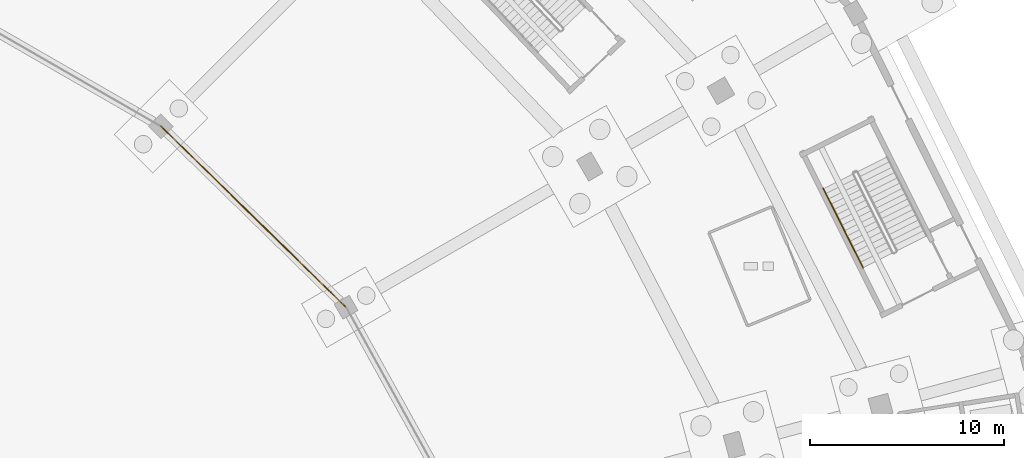
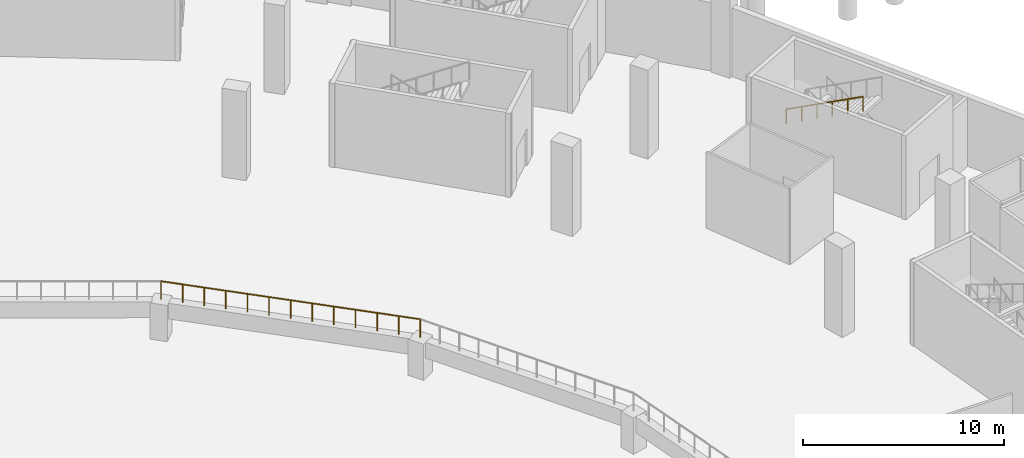
# One storey, part 79 of 103: 2 railings.
"""IFC4 building model written with IfcOpenShell, lengths in metres."""

import ifcopenshell
import ifcopenshell.guid

model = None  # the IFC model being written
_history = None  # IfcOwnerHistory: only IFC2X3 demands one
_inside = {}  # id of a spatial element -> (the spatial element, [elements in it])
_under = {}  # id of a project, library or spatial element -> (it, [spatial elements below it])
_declared = {}  # id of a project -> (the project, [libraries it declares])
_typed = {}  # id of a type object -> (the type object, [elements of that type])
_made_of = {}  # id of a material, layer set ... -> (it, [elements and type objects made of it])


def new_model(schema):
    """Start an empty IFC model of exactly this schema.

    Asked for "IFC4X3", IfcOpenShell would pick the latest addendum, in which some entities
    have other attributes; the version numbers below select the first issue.
    IFC2X3 requires an IfcOwnerHistory on every rooted entity: one is made here for all.
    """
    global model, _history
    if schema == "IFC4X3":
        model = ifcopenshell.file(schema_version=(4, 3, 0, 0))
    else:
        model = ifcopenshell.file(schema=schema)
    _inside.clear()
    _under.clear()
    _declared.clear()
    _typed.clear()
    _made_of.clear()
    _history = None
    if model.schema == "IFC2X3":
        org = make("IfcOrganization", Name="unknown")
        user = make(
            "IfcPersonAndOrganization",
            ThePerson=make("IfcPerson", FamilyName="unknown"),
            TheOrganization=org,
        )
        app = make(
            "IfcApplication",
            ApplicationDeveloper=org,
            Version="unknown",
            ApplicationFullName="unknown",
            ApplicationIdentifier="unknown",
        )
        _history = make(
            "IfcOwnerHistory",
            OwningUser=user,
            OwningApplication=app,
            ChangeAction="ADDED",
            CreationDate=0,
        )
    return model


def make(cls, **values):
    """One entity of the class cls with the attributes given. An attribute that is None is left unset."""
    return model.create_entity(
        cls, **{name: value for name, value in values.items() if value is not None}
    )


def rooted(cls, **values):
    """An entity with a GlobalId (a new one), such as an element, a storey or a relation."""
    return make(cls, GlobalId=ifcopenshell.guid.new(), OwnerHistory=_history, **values)


def si_unit(unit_type, name, prefix=None):
    """IfcSIUnit, for example si_unit("LENGTHUNIT", "METRE", prefix="MILLI")."""
    return make("IfcSIUnit", UnitType=unit_type, Prefix=prefix, Name=name)


def assignment(units):
    """IfcUnitAssignment: the units of a project."""
    return None if units is None else make("IfcUnitAssignment", Units=units)


def point(xyz):
    """IfcCartesianPoint."""
    return None if xyz is None else make("IfcCartesianPoint", Coordinates=xyz)


def direction(xyz):
    """IfcDirection."""
    return None if xyz is None else make("IfcDirection", DirectionRatios=xyz)


def frame(location, z_axis=None, x_axis=None):
    """IfcAxis2Placement3D, a coordinate frame: its origin and axes. An axis left out is left unset."""
    return make(
        "IfcAxis2Placement3D",
        Location=point(location),
        Axis=direction(z_axis),
        RefDirection=direction(x_axis),
    )


def frame_2d(location, x_axis=None):
    """IfcAxis2Placement2D, a coordinate frame in the plane: its origin and x axis."""
    return make(
        "IfcAxis2Placement2D", Location=point(location), RefDirection=direction(x_axis)
    )


def origin():
    """The frame at (0, 0, 0) with its axes left unset."""
    return frame((0.0, 0.0, 0.0))


def origin_2d():
    """The frame at (0, 0) in the plane with its x axis left unset."""
    return frame_2d((0.0, 0.0))


def place(relative_to, where):
    """IfcLocalPlacement: puts the frame where relative to a parent placement (None: the world)."""
    return make(
        "IfcLocalPlacement", PlacementRelTo=relative_to, RelativePlacement=where
    )


def context(
    kind, dimensions, precision=None, world=None, true_north=None, identifier=None
):
    """IfcGeometricRepresentationContext, for example the 3D "Model" context."""
    return make(
        "IfcGeometricRepresentationContext",
        ContextIdentifier=identifier,
        ContextType=kind,
        CoordinateSpaceDimension=dimensions,
        Precision=precision,
        WorldCoordinateSystem=world,
        TrueNorth=true_north,
    )


def subcontext(parent, identifier, kind, view, scale=None):
    """IfcGeometricRepresentationSubContext, for example "Body" below "Model"."""
    return make(
        "IfcGeometricRepresentationSubContext",
        ContextIdentifier=identifier,
        ContextType=kind,
        ParentContext=parent,
        TargetScale=scale,
        TargetView=view,
    )


def project(units=None, contexts=None):
    """IfcProject with its units and contexts."""
    return rooted(
        "IfcProject",
        Name="project",
        RepresentationContexts=contexts,
        UnitsInContext=assignment(units),
    )


def spatial(cls, under=None, at=None, **own):
    """A site, building, storey or space (cls), placed at a placement, below another one or the project."""
    s = rooted(cls, ObjectPlacement=at, **own)
    if under is not None:
        _under.setdefault(under.id(), (under, []))[1].append(s)
    return s


def profile(cls, at=None, kind="AREA", **sizes):
    """A parametric profile (cls). Its sizes go by their IFC names, for example OverallWidth=200.0."""
    return make(cls, ProfileType=kind, Position=at, **sizes)


def circle(**sizes):
    """IfcCircleProfileDef."""
    return profile("IfcCircleProfileDef", **sizes)


def extrude(swept, where, along, depth):
    """IfcExtrudedAreaSolid: the profile swept, set in the frame where, extruded along a direction by depth."""
    return make(
        "IfcExtrudedAreaSolid",
        SweptArea=swept,
        Position=where,
        ExtrudedDirection=direction(along),
        Depth=depth,
    )


def shape(context_of_items, identifier, shape_type, items):
    """IfcShapeRepresentation: the items that make up one representation, for example the "Body"."""
    return make(
        "IfcShapeRepresentation",
        ContextOfItems=context_of_items,
        RepresentationIdentifier=identifier,
        RepresentationType=shape_type,
        Items=items,
    )


def material(Name=None, Category=None):
    """IfcMaterial."""
    return make("IfcMaterial", Name=Name, Category=Category)


def made_of(thing, what):
    """Note that an element or type object is made of a material, layer set ...; save() writes the relation."""
    if what is not None:
        _made_of.setdefault(what.id(), (what, []))[1].append(thing)
    return thing


def type_object(cls, material=None, **own):
    """A type object (cls), such as IfcWallType, which elements share."""
    return made_of(rooted(cls, **own), material)


def element(
    cls,
    number,
    at=None,
    inside=None,
    cuts=None,
    type_object=None,
    material=None,
    context=None,
    identifier="Body",
    shape_type=None,
    held_by="IfcProductDefinitionShape",
    body=None,
    shapes=None,
    **own,
):
    """One element of the class cls, such as IfcWall. Its Tag is "e" and its number.

    at: its placement. inside: the storey or other place that contains it. cuts: it is an
    opening in that element (IfcRelVoidsElement). A single representation is given by context,
    identifier, shape_type and body (its items); several are given by shapes. held_by: the class
    of the entity that holds the representations. save() writes the other relations.
    """
    e = rooted(cls, Tag="e%d" % number, ObjectPlacement=at, **own)
    if body is not None:
        shapes = [shape(context, identifier, shape_type, body)]
    if shapes is not None:
        e.Representation = make(held_by, Representations=shapes)
    if inside is not None:
        _inside.setdefault(inside.id(), (inside, []))[1].append(e)
    if cuts is not None:
        rooted(
            "IfcRelVoidsElement", RelatingBuildingElement=cuts, RelatedOpeningElement=e
        )
    if type_object is not None:
        _typed.setdefault(type_object.id(), (type_object, []))[1].append(e)
    return made_of(e, material)


def aggregate(whole, parts):
    """IfcRelAggregates: a whole, such as a stair, and the parts it consists of."""
    return rooted("IfcRelAggregates", RelatingObject=whole, RelatedObjects=parts)


def save(model, path):
    """Write the relations noted so far, then the file.

    IfcRelAggregates (storeys below a building ...), IfcRelContainedInSpatialStructure (elements
    in a storey), IfcRelDefinesByType, IfcRelAssociatesMaterial and IfcRelDeclares: one each for
    every whole, place, type object, material and project.
    """
    for whole, parts in _under.values():
        aggregate(whole, parts)
    for where, things in _inside.values():
        rooted(
            "IfcRelContainedInSpatialStructure",
            RelatedElements=things,
            RelatingStructure=where,
        )
    for kind, things in _typed.values():
        rooted("IfcRelDefinesByType", RelatedObjects=things, RelatingType=kind)
    for what, things in _made_of.values():
        rooted("IfcRelAssociatesMaterial", RelatedObjects=things, RelatingMaterial=what)
    for by, libraries in _declared.values():
        rooted("IfcRelDeclares", RelatingContext=by, RelatedDefinitions=libraries)
    model.write(path)


model = new_model("IFC4")

# Units and contexts
model_context = context("Model", 3, precision=1e-05, world=origin(), true_north=direction((0.0, 1.0)))
body_context = subcontext(model_context, "Body", "Model", "MODEL_VIEW")
ifc_project = project(units=[si_unit("LENGTHUNIT", "METRE"), si_unit("AREAUNIT", "SQUARE_METRE"), si_unit("VOLUMEUNIT", "CUBIC_METRE"), si_unit("PLANEANGLEUNIT", "RADIAN"), si_unit("MASSUNIT", "GRAM", prefix="KILO")], contexts=[model_context])

# Site, building, storey
site_placement = place(None, origin())
site = spatial("IfcSite", under=ifc_project, at=site_placement, CompositionType="ELEMENT")
building_placement = place(site_placement, origin())
building = spatial("IfcBuilding", under=site, at=building_placement, Name="Zevraka Park Crest Stadium", CompositionType="ELEMENT")
storey_placement = place(building_placement, origin())
storey = spatial("IfcBuildingStorey", under=building, at=storey_placement, Name="L00", CompositionType="ELEMENT", Elevation=0.0)

# Railings
ifc_material_1 = material(Name="Laminated glass and stainless steel sightline bowl guard", Category="steel")
railing_type_1 = type_object("IfcRailingType", Name="GR02", PredefinedType="GUARDRAIL", material=ifc_material_1)
railing_1_placement = place(storey_placement, frame((163.9619140625, 114.5, 2.199951171875)))
element("IfcRailing", 1, at=railing_1_placement, inside=storey, type_object=railing_type_1, Name="Lower Tier Pitch Sightline Guard GR02 02", PredefinedType="GUARDRAIL", context=body_context, shape_type="SweptSolid", body=[
    extrude(circle(Radius=0.02392578125, at=origin_2d()), frame((0.0, 0.0, 1.09619140625), z_axis=(-0.715153296212, 0.698967640823, 0.0), x_axis=(-0.698967640823, -0.715153296212, 0.0)), (0.0, 0.0, 1.0), 13.333984375),
    extrude(circle(Radius=0.02099609375, at=origin_2d()), origin(), (0.0, 0.0, 1.0), 1.072021484375),
    extrude(circle(Radius=0.02099609375, at=origin_2d()), frame((-0.794677734375, 0.776611328125, 0.0)), (0.0, 0.0, 1.0), 1.072021484375),
    extrude(circle(Radius=0.02099609375, at=origin_2d()), frame((-1.58935546875, 1.55322265625, 0.0)), (0.0, 0.0, 1.0), 1.072021484375),
    extrude(circle(Radius=0.02099609375, at=origin_2d()), frame((-2.384033203125, 2.330078125, 0.0)), (0.0, 0.0, 1.0), 1.072021484375),
    extrude(circle(Radius=0.02099609375, at=origin_2d()), frame((-3.1787109375, 3.106689453125, 0.0)), (0.0, 0.0, 1.0), 1.072021484375),
    extrude(circle(Radius=0.02099609375, at=origin_2d()), frame((-3.973388671875, 3.88330078125, 0.0)), (0.0, 0.0, 1.0), 1.072021484375),
    extrude(circle(Radius=0.02099609375, at=origin_2d()), frame((-4.76806640625, 4.66015625, 0.0)), (0.0, 0.0, 1.0), 1.072021484375),
    extrude(circle(Radius=0.02099609375, at=origin_2d()), frame((-5.5625, 5.436767578125, 0.0)), (0.0, 0.0, 1.0), 1.072021484375),
    extrude(circle(Radius=0.02099609375, at=origin_2d()), frame((-6.357177734375, 6.21337890625, 0.0)), (0.0, 0.0, 1.0), 1.072021484375),
    extrude(circle(Radius=0.02099609375, at=origin_2d()), frame((-7.15185546875, 6.989990234375, 0.0)), (0.0, 0.0, 1.0), 1.072021484375),
    extrude(circle(Radius=0.02099609375, at=origin_2d()), frame((-7.946533203125, 7.7666015625, 0.0)), (0.0, 0.0, 1.0), 1.072021484375),
    extrude(circle(Radius=0.02099609375, at=origin_2d()), frame((-8.7412109375, 8.54345703125, 0.0)), (0.0, 0.0, 1.0), 1.072021484375),
    extrude(circle(Radius=0.02099609375, at=origin_2d()), frame((-9.535888671875, 9.320068359375, 0.0)), (0.0, 0.0, 1.0), 1.072021484375),
])
ifc_material_2 = material(Name="Brushed stainless steel continuous handrail", Category="steel")
railing_type_2 = type_object("IfcRailingType", Name="HR01", PredefinedType="HANDRAIL", material=ifc_material_2)
railing_2_placement = place(storey_placement, frame((188.544921875, 120.625732421875, 2.86865234375)))
element("IfcRailing", 2, at=railing_2_placement, inside=storey, type_object=railing_type_2, Name="L00 ST02 stair handrail 2", PredefinedType="HANDRAIL", context=body_context, shape_type="SweptSolid", body=[
    extrude(circle(Radius=0.02392578125, at=origin_2d()), frame((0.0, 0.0, 0.8759765625), z_axis=(0.391947328971, -0.782307070478, 0.484120789466), x_axis=(0.894064019909, 0.447939201571, 0.0)), (0.0, 0.0, 1.0), 5.228515625),
    extrude(circle(Radius=0.02099609375, at=origin_2d()), origin(), (0.0, 0.0, 1.0), 0.851806640625),
    extrude(circle(Radius=0.02099609375, at=origin_2d()), frame((0.409912109375, -0.818115234375, 0.50634765625)), (0.0, 0.0, 1.0), 0.851806640625),
    extrude(circle(Radius=0.02099609375, at=origin_2d()), frame((0.81982421875, -1.63623046875, 1.012451171875)), (0.0, 0.0, 1.0), 0.851806640625),
    extrude(circle(Radius=0.02099609375, at=origin_2d()), frame((1.2294921875, -2.4541015625, 1.518798828125)), (0.0, 0.0, 1.0), 0.851806640625),
    extrude(circle(Radius=0.02099609375, at=origin_2d()), frame((1.639404296875, -3.272216796875, 2.02490234375)), (0.0, 0.0, 1.0), 0.851806640625),
    extrude(circle(Radius=0.02099609375, at=origin_2d()), frame((2.04931640625, -4.09033203125, 2.53125)), (0.0, 0.0, 1.0), 0.851806640625),
])

save(model, "model.ifc")
